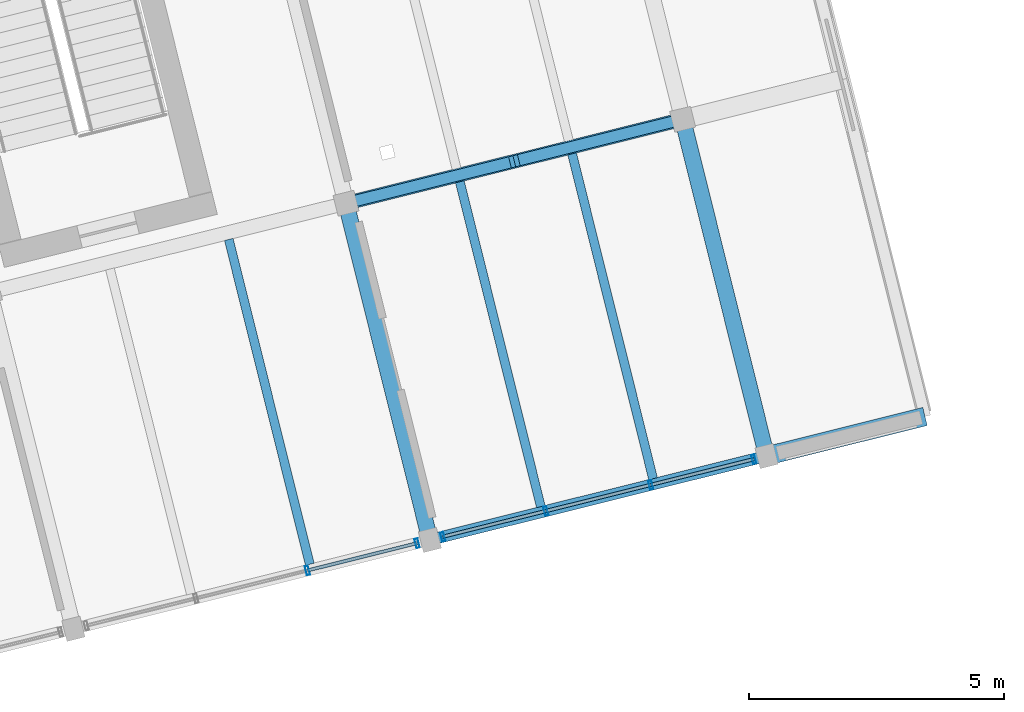
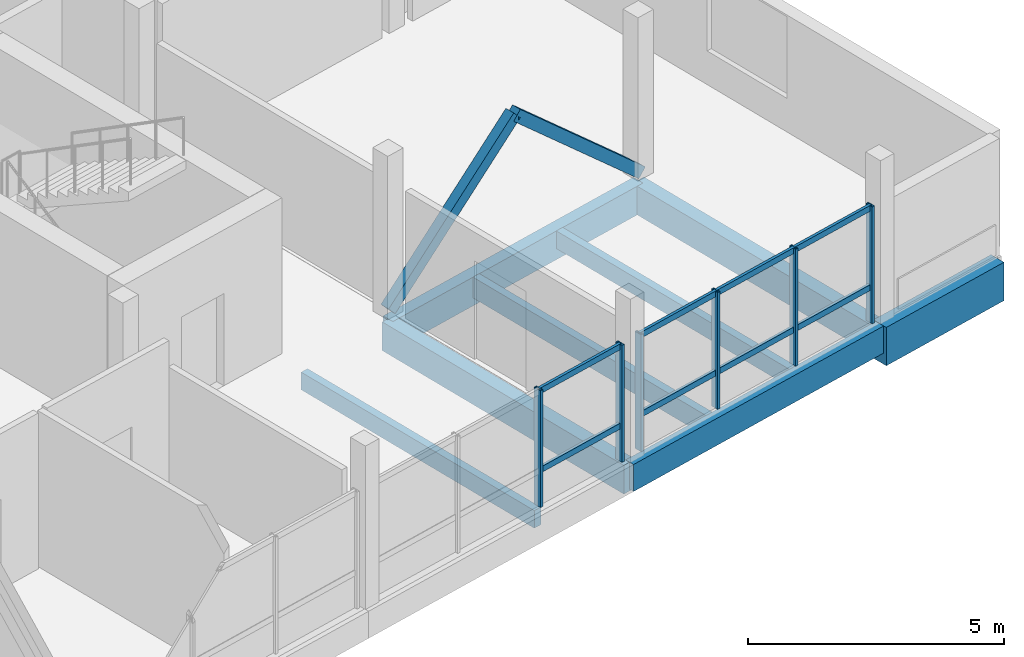
# One storey, part 11 of 27: 16 members, 8 beams, 2 elements without a shape of their own.
"""IFC4 building model written with IfcOpenShell, lengths in metres."""

from ifc_helpers import new_model, si_unit, direction, frame, origin, origin_2d, place, context, subcontext, project, spatial, rectangle, hollow_rectangle, extrude, material, layer, layer_set, material_profile, profile_set, type_object, element, aggregate, save


model = new_model("IFC4")

# Units and contexts
model_context = context("Model", 3, precision=1e-05, world=origin(), true_north=direction((0.0, 1.0)))
body_context = subcontext(model_context, "Body", "Model", "MODEL_VIEW")
ifc_project = project(units=[si_unit("LENGTHUNIT", "METRE"), si_unit("AREAUNIT", "SQUARE_METRE"), si_unit("VOLUMEUNIT", "CUBIC_METRE"), si_unit("PLANEANGLEUNIT", "RADIAN"), si_unit("MASSUNIT", "GRAM", prefix="KILO")], contexts=[model_context])

# Site, building, storey
site_placement = place(None, origin())
site = spatial("IfcSite", under=ifc_project, at=site_placement, CompositionType="ELEMENT")
building_placement = place(site_placement, origin())
building = spatial("IfcBuilding", under=site, at=building_placement, Name="Meriwether Solvik Hall", CompositionType="ELEMENT")
storey_placement = place(building_placement, frame((0.0, 0.0, 33.89990234375)))
storey = spatial("IfcBuildingStorey", under=building, at=storey_placement, Name="L08", CompositionType="ELEMENT", Elevation=33.89990234375)

# Beams
ifc_material_1 = material(Name="Glulam Douglas-Fir 24F-V8 GL28h", Category="wood")
ifc_material_profile_1 = material_profile(ifc_material_1, rectangle(XDim=0.221923828125, YDim=0.64501953125, at=origin_2d()), Name="GLB-222X645")
ifc_profile_set_1 = profile_set([ifc_material_profile_1], Name="Glulam Douglas-Fir 24F-V8 GL28h")
beam_type_1 = type_object("IfcBeamType", Name="BM-GL-222X645", PredefinedType="SPANDREL", material=ifc_profile_set_1)
beam_1_placement = place(storey_placement, frame((96.9326171875, 48.26416015625, -0.50244140625), z_axis=(0.970298579828, 0.24191045034, 0.0), x_axis=(-0.24191045034, 0.970298579828, 0.0)))
element("IfcBeam", 1, at=beam_1_placement, inside=storey, type_object=beam_type_1, Name="Tower Girder TA:T5-T6 (L08)", PredefinedType="SPANDREL", context=body_context, shape_type="SweptSolid", body=[
    extrude(rectangle(XDim=0.221923828125, YDim=0.64501953125, at=origin_2d()), origin(), (0.0, 0.0, 1.0), 6.800048828125),
])
ifc_material_2 = material(Name="Glulam Douglas-Fir 24F-V8 GL28h", Category="wood")
ifc_material_profile_2 = material_profile(ifc_material_2, rectangle(XDim=0.27294921875, YDim=0.68505859375, at=origin_2d()), Name="GLB-273X685")
ifc_profile_set_2 = profile_set([ifc_material_profile_2], Name="Glulam Douglas-Fir 24F-V8 GL28h")
beam_type_2 = type_object("IfcBeamType", Name="BM-GL-273X685", PredefinedType="BEAM", material=ifc_profile_set_2)
beam_2_placement = place(storey_placement, frame((95.28759765625, 54.862060546875, -0.5224609375), z_axis=(0.970296478685, 0.241918877831, 0.0), x_axis=(-0.241918877831, 0.970296478685, 0.0)))
element("IfcBeam", 2, at=beam_2_placement, inside=storey, type_object=beam_type_2, Name="Tower Girder TB:T5-T6 (L08)", PredefinedType="BEAM", context=body_context, shape_type="SweptSolid", body=[
    extrude(rectangle(XDim=0.27294921875, YDim=0.68505859375, at=origin_2d()), origin(), (0.0, 0.0, 1.0), 6.7998046875),
])
ifc_material_3 = material(Name="Glulam Douglas-Fir 24F-V8 GL28h", Category="wood")
ifc_material_profile_3 = material_profile(ifc_material_3, rectangle(XDim=0.31494140625, YDim=0.68505859375, at=origin_2d()), Name="GLB-315X685")
ifc_profile_set_3 = profile_set([ifc_material_profile_3], Name="Glulam Douglas-Fir 24F-V8 GL28h")
beam_type_3 = type_object("IfcBeamType", Name="BM-GL-315X685", PredefinedType="BEAM", material=ifc_profile_set_3)
beam_3_placement = place(storey_placement, frame((96.9326171875, 48.26416015625, -0.5224609375), z_axis=(-0.241918877831, 0.970296478685, 0.0), x_axis=(-0.970296478685, -0.241918877831, 0.0)))
element("IfcBeam", 3, at=beam_3_placement, inside=storey, type_object=beam_type_3, Name="Tower Girder T5:TA-TB (L08)", PredefinedType="BEAM", context=body_context, shape_type="SweptSolid", body=[
    extrude(rectangle(XDim=0.31494140625, YDim=0.68505859375, at=origin_2d()), origin(), (0.0, 0.0, 1.0), 6.7998046875),
])
beam_4_placement = place(storey_placement, frame((103.53076171875, 49.9091796875, -0.5224609375), z_axis=(-0.2419526798, 0.970288050394, 0.0), x_axis=(-0.970288050394, -0.2419526798, 0.0)))
element("IfcBeam", 4, at=beam_4_placement, inside=storey, type_object=beam_type_3, Name="Tower Girder T6:TA-TB (L08)", PredefinedType="BEAM", context=body_context, shape_type="SweptSolid", body=[
    extrude(rectangle(XDim=0.31494140625, YDim=0.68505859375, at=origin_2d()), origin(), (0.0, 0.0, 1.0), 6.800048828125),
])

# Curtain wall, members
ifc_material_4 = material(Name="Thermally Broken Anodised Aluminium 6063-T6 and Low-E Glass", Category="aluminium")
ifc_layer_1 = layer(ifc_material_4, 0.179931640625)
ifc_layer_set_1 = layer_set([ifc_layer_1], Name="Thermally Broken Anodised Aluminium 6063-T6 and Low-E Glass")
curtain_wall_type_1 = type_object("IfcCurtainWallType", Name="CW-UNIT-B", PredefinedType="USERDEFINED", material=ifc_layer_set_1)
curtain_wall_1_placement = place(storey_placement, origin())
curtain_wall_1 = element("IfcCurtainWall", 5, at=curtain_wall_1_placement, inside=storey, type_object=curtain_wall_type_1, Name="Curtain Wall E0_B3 (L08)", ObjectType="UNITISED CURTAIN WALL", PredefinedType="USERDEFINED")
ifc_material_5 = material(Name="Anodised Aluminium 6063-T6", Category="aluminium")
ifc_material_profile_4 = material_profile(ifc_material_5, hollow_rectangle(XDim=0.06494140625, YDim=0.179931640625, WallThickness=0.00439453125, at=origin_2d()), Name="CWM-65X180")
ifc_profile_set_4 = profile_set([ifc_material_profile_4], Name="Anodised Aluminium 6063-T6")
member_type_1 = type_object("IfcMemberType", Name="CW-MUL-65X180", PredefinedType="MULLION", material=ifc_profile_set_4)
member_1_placement = place(storey_placement, frame((96.680419921875, 48.201171875, 0.0), z_axis=(0.0, 0.0, 1.0), x_axis=(-0.970295703518, -0.241921986879, 0.0)))
member_1 = element("IfcMember", 6, at=member_1_placement, type_object=member_type_1, Name="Curtain Wall Mullion 1", PredefinedType="MULLION", context=body_context, shape_type="SweptSolid", body=[
    extrude(hollow_rectangle(XDim=0.06494140625, YDim=0.179931640625, WallThickness=0.00439453125, at=origin_2d()), origin(), (0.0, 0.0, 1.0), 2.7900390625),
])
member_2_placement = place(storey_placement, frame((94.5322265625, 47.66552734375, 0.0), z_axis=(0.0, 0.0, 1.0), x_axis=(-0.970295703518, -0.241921986879, 0.0)))
member_2 = element("IfcMember", 7, at=member_2_placement, type_object=member_type_1, Name="Curtain Wall Mullion 2", PredefinedType="MULLION", context=body_context, shape_type="SweptSolid", body=[
    extrude(hollow_rectangle(XDim=0.06494140625, YDim=0.179931640625, WallThickness=0.00439453125, at=origin_2d()), origin(), (0.0, 0.0, 1.0), 2.7900390625),
])

ifc_material_6 = material(Name="Thermally Broken Anodised Aluminium 6063-T6 and Low-E Glass", Category="aluminium")
ifc_layer_2 = layer(ifc_material_6, 0.179931640625)
ifc_layer_set_2 = layer_set([ifc_layer_2], Name="Thermally Broken Anodised Aluminium 6063-T6 and Low-E Glass")
curtain_wall_type_2 = type_object("IfcCurtainWallType", Name="CW-UNIT-C", PredefinedType="USERDEFINED", material=ifc_layer_set_2)
curtain_wall_2_placement = place(storey_placement, origin())
curtain_wall_2 = element("IfcCurtainWall", 8, at=curtain_wall_2_placement, inside=storey, type_object=curtain_wall_type_2, Name="Curtain Wall E0_B4 (L08)", ObjectType="UNITISED CURTAIN WALL", PredefinedType="USERDEFINED")
member_3_placement = place(storey_placement, frame((103.2783203125, 49.84619140625, 0.0), z_axis=(0.0, 0.0, 1.0), x_axis=(-0.97029570448, -0.241921983017, 0.0)))
member_3 = element("IfcMember", 9, at=member_3_placement, type_object=member_type_1, Name="Curtain Wall Mullion 1", PredefinedType="MULLION", context=body_context, shape_type="SweptSolid", body=[
    extrude(hollow_rectangle(XDim=0.06494140625, YDim=0.179931640625, WallThickness=0.00439453125, at=origin_2d()), origin(), (0.0, 0.0, 1.0), 2.7900390625),
])
member_4_placement = place(storey_placement, frame((101.259521484375, 49.343017578125, 0.0), z_axis=(0.0, 0.0, 1.0), x_axis=(-0.97029570448, -0.241921983017, 0.0)))
member_4 = element("IfcMember", 10, at=member_4_placement, type_object=member_type_1, Name="Curtain Wall Mullion 2", PredefinedType="MULLION", context=body_context, shape_type="SweptSolid", body=[
    extrude(hollow_rectangle(XDim=0.06494140625, YDim=0.179931640625, WallThickness=0.00439453125, at=origin_2d()), origin(), (0.0, 0.0, 1.0), 2.7900390625),
])
member_5_placement = place(storey_placement, frame((99.203857421875, 48.830322265625, 0.0), z_axis=(0.0, 0.0, 1.0), x_axis=(-0.97029570448, -0.241921983017, 0.0)))
member_5 = element("IfcMember", 11, at=member_5_placement, type_object=member_type_1, Name="Curtain Wall Mullion 3", PredefinedType="MULLION", context=body_context, shape_type="SweptSolid", body=[
    extrude(hollow_rectangle(XDim=0.06494140625, YDim=0.179931640625, WallThickness=0.00439453125, at=origin_2d()), origin(), (0.0, 0.0, 1.0), 2.7900390625),
])
member_6_placement = place(storey_placement, frame((97.184814453125, 48.326904296875, 0.0), z_axis=(0.0, 0.0, 1.0), x_axis=(-0.97029570448, -0.241921983017, 0.0)))
member_6 = element("IfcMember", 12, at=member_6_placement, type_object=member_type_1, Name="Curtain Wall Mullion 4", PredefinedType="MULLION", context=body_context, shape_type="SweptSolid", body=[
    extrude(hollow_rectangle(XDim=0.06494140625, YDim=0.179931640625, WallThickness=0.00439453125, at=origin_2d()), origin(), (0.0, 0.0, 1.0), 2.7900390625),
])

# Member
ifc_material_7 = material(Name="Anodised Aluminium 6063-T6", Category="aluminium")
ifc_material_profile_5 = material_profile(ifc_material_7, hollow_rectangle(XDim=0.06494140625, YDim=0.139892578125, WallThickness=0.00439453125, at=origin_2d()), Name="CWT-65X140")
ifc_profile_set_5 = profile_set([ifc_material_profile_5], Name="Anodised Aluminium 6063-T6")
member_type_2 = type_object("IfcMemberType", Name="CW-TRN-65X140", PredefinedType="USERDEFINED", material=ifc_profile_set_5)
member_7_placement = place(storey_placement, frame((96.680419921875, 48.201171875, 0.837158203125), z_axis=(-0.970291509385, -0.241938808, 0.0), x_axis=(0.241938808, -0.970291509385, 0.0)))
member_7 = element("IfcMember", 13, at=member_7_placement, type_object=member_type_2, Name="Curtain Wall Transom 1-sill", ObjectType="TRANSOM", PredefinedType="USERDEFINED", context=body_context, shape_type="SweptSolid", body=[
    extrude(hollow_rectangle(XDim=0.06494140625, YDim=0.139892578125, WallThickness=0.00439453125, at=origin_2d()), origin(), (0.0, 0.0, 1.0), 2.2138671875),
])

member_8_placement = place(storey_placement, frame((96.680419921875, 48.201171875, 2.72998046875), z_axis=(-0.970291509385, -0.241938808, 0.0), x_axis=(0.241938808, -0.970291509385, 0.0)))
member_8 = element("IfcMember", 14, at=member_8_placement, type_object=member_type_2, Name="Curtain Wall Transom 1-head", ObjectType="TRANSOM", PredefinedType="USERDEFINED", context=body_context, shape_type="SweptSolid", body=[
    extrude(hollow_rectangle(XDim=0.06494140625, YDim=0.139892578125, WallThickness=0.00439453125, at=origin_2d()), origin(), (0.0, 0.0, 1.0), 2.2138671875),
])

aggregate(curtain_wall_1, [member_1, member_2, member_7, member_8])

member_9_placement = place(storey_placement, frame((103.2783203125, 49.84619140625, 0.837158203125), z_axis=(-0.970314818809, -0.241845306756, 0.0), x_axis=(0.241845306756, -0.970314818809, 0.0)))
member_9 = element("IfcMember", 15, at=member_9_placement, type_object=member_type_2, Name="Curtain Wall Transom 1-sill", ObjectType="TRANSOM", PredefinedType="USERDEFINED", context=body_context, shape_type="SweptSolid", body=[
    extrude(hollow_rectangle(XDim=0.06494140625, YDim=0.139892578125, WallThickness=0.00439453125, at=origin_2d()), origin(), (0.0, 0.0, 1.0), 2.08056640625),
])

member_10_placement = place(storey_placement, frame((103.2783203125, 49.84619140625, 2.72998046875), z_axis=(-0.970314818809, -0.241845306756, 0.0), x_axis=(0.241845306756, -0.970314818809, 0.0)))
member_10 = element("IfcMember", 16, at=member_10_placement, type_object=member_type_2, Name="Curtain Wall Transom 1-head", ObjectType="TRANSOM", PredefinedType="USERDEFINED", context=body_context, shape_type="SweptSolid", body=[
    extrude(hollow_rectangle(XDim=0.06494140625, YDim=0.139892578125, WallThickness=0.00439453125, at=origin_2d()), origin(), (0.0, 0.0, 1.0), 2.08056640625),
])

member_11_placement = place(storey_placement, frame((101.259521484375, 49.343017578125, 0.837158203125), z_axis=(-0.970277919064, -0.24199330523, 0.0), x_axis=(0.24199330523, -0.970277919064, 0.0)))
member_11 = element("IfcMember", 17, at=member_11_placement, type_object=member_type_2, Name="Curtain Wall Transom 2-sill", ObjectType="TRANSOM", PredefinedType="USERDEFINED", context=body_context, shape_type="SweptSolid", body=[
    extrude(hollow_rectangle(XDim=0.06494140625, YDim=0.139892578125, WallThickness=0.00439453125, at=origin_2d()), origin(), (0.0, 0.0, 1.0), 2.11865234375),
])

member_12_placement = place(storey_placement, frame((101.259521484375, 49.343017578125, 2.72998046875), z_axis=(-0.970277919064, -0.24199330523, 0.0), x_axis=(0.24199330523, -0.970277919064, 0.0)))
member_12 = element("IfcMember", 18, at=member_12_placement, type_object=member_type_2, Name="Curtain Wall Transom 2-head", ObjectType="TRANSOM", PredefinedType="USERDEFINED", context=body_context, shape_type="SweptSolid", body=[
    extrude(hollow_rectangle(XDim=0.06494140625, YDim=0.139892578125, WallThickness=0.00439453125, at=origin_2d()), origin(), (0.0, 0.0, 1.0), 2.11865234375),
])

member_13_placement = place(storey_placement, frame((99.203857421875, 48.830322265625, 0.837158203125), z_axis=(-0.970294144957, -0.241928237836, 0.0), x_axis=(0.241928237836, -0.970294144957, 0.0)))
member_13 = element("IfcMember", 19, at=member_13_placement, type_object=member_type_2, Name="Curtain Wall Transom 3-sill", ObjectType="TRANSOM", PredefinedType="USERDEFINED", context=body_context, shape_type="SweptSolid", body=[
    extrude(hollow_rectangle(XDim=0.06494140625, YDim=0.139892578125, WallThickness=0.00439453125, at=origin_2d()), origin(), (0.0, 0.0, 1.0), 2.080810546875),
])

member_14_placement = place(storey_placement, frame((99.203857421875, 48.830322265625, 2.72998046875), z_axis=(-0.970294144957, -0.241928237836, 0.0), x_axis=(0.241928237836, -0.970294144957, 0.0)))
member_14 = element("IfcMember", 20, at=member_14_placement, type_object=member_type_2, Name="Curtain Wall Transom 3-head", ObjectType="TRANSOM", PredefinedType="USERDEFINED", context=body_context, shape_type="SweptSolid", body=[
    extrude(hollow_rectangle(XDim=0.06494140625, YDim=0.139892578125, WallThickness=0.00439453125, at=origin_2d()), origin(), (0.0, 0.0, 1.0), 2.080810546875),
])

aggregate(curtain_wall_2, [member_3, member_4, member_5, member_6, member_9, member_10, member_11, member_12, member_13, member_14])

# Beams
ifc_material_8 = material(Name="Glulam Douglas-Fir 24F-V8 GL28h", Category="wood")
ifc_material_profile_6 = material_profile(ifc_material_8, rectangle(XDim=0.364990234375, YDim=0.9150390625, at=origin_2d()), Name="GLB-365X915")
ifc_profile_set_6 = profile_set([ifc_material_profile_6], Name="Glulam Douglas-Fir 24F-V8 GL28h")
beam_type_4 = type_object("IfcBeamType", Name="GL-CANT-365X915", PredefinedType="BEAM", material=ifc_profile_set_6)
beam_5_placement = place(storey_placement, frame((103.53076171875, 49.9091796875, -0.637451171875), z_axis=(0.970290428474, 0.241943142934, 0.0), x_axis=(-0.241943142934, 0.970290428474, 0.0)))
element("IfcBeam", 21, at=beam_5_placement, inside=storey, type_object=beam_type_4, Name="Shard Cantilever Girder TA (L08)", PredefinedType="BEAM", context=body_context, shape_type="SweptSolid", body=[
    extrude(rectangle(XDim=0.364990234375, YDim=0.9150390625, at=origin_2d()), origin(), (0.0, 0.0, 1.0), 3.19970703125),
])
ifc_material_9 = material(Name="Glulam Douglas-Fir 24F-V8 GL28h", Category="wood")
ifc_material_profile_7 = material_profile(ifc_material_9, rectangle(XDim=0.175048828125, YDim=0.419921875, at=origin_2d()), Name="GLJ-175X420")
ifc_profile_set_7 = profile_set([ifc_material_profile_7], Name="Glulam Douglas-Fir 24F-V8 GL28h")
beam_type_5 = type_object("IfcBeamType", Name="JST-GL-175X420", PredefinedType="JOIST", material=ifc_profile_set_7)
for number, where, z_axis, x_axis, name in (
    (22, (94.578369140625, 47.786376953125, -0.389892578125), (-0.241931575219, 0.970293312824, 0.0), (-0.970293312824, -0.241931575219, 0.0), "Glulam Floor Joist T4/TA-J2 (L08)"),
    (23, (101.3056640625, 49.463623046875, -0.389892578125), (-0.241922842305, 0.970295490235, 0.0), (-0.970295490235, -0.241922842305, 0.0), "Glulam Floor Joist T5/TA-J2 (L08)"),
):
    element("IfcBeam", number, at=place(storey_placement, frame(where, z_axis=z_axis, x_axis=x_axis)), inside=storey, type_object=beam_type_5, Name=name, PredefinedType="JOIST", context=body_context, shape_type="SweptSolid", body=[
        extrude(rectangle(XDim=0.175048828125, YDim=0.419921875, at=origin_2d()), origin(), (0.0, 0.0, 1.0), 6.5625),
    ])
ifc_material_10 = material(Name="Glulam Douglas-Fir 24F-V8 GL28h", Category="wood")
ifc_material_profile_8 = material_profile(ifc_material_10, rectangle(XDim=0.175048828125, YDim=0.4951171875, at=origin_2d()), Name="GLJ-175X495")
ifc_profile_set_8 = profile_set([ifc_material_profile_8], Name="Glulam Douglas-Fir 24F-V8 GL28h")
beam_type_6 = type_object("IfcBeamType", Name="JST-GL-175X495", PredefinedType="JOIST", material=ifc_profile_set_8)
beam_6_placement = place(storey_placement, frame((99.1064453125, 48.915283203125, -0.427490234375), z_axis=(-0.241922842305, 0.970295490235, 0.0), x_axis=(-0.970295490235, -0.241922842305, 0.0)))
element("IfcBeam", 24, at=beam_6_placement, inside=storey, type_object=beam_type_6, Name="Glulam Floor Joist T5/TA-J1 (L08)", PredefinedType="JOIST", context=body_context, shape_type="SweptSolid", body=[
    extrude(rectangle(XDim=0.175048828125, YDim=0.4951171875, at=origin_2d()), origin(), (0.0, 0.0, 1.0), 6.5625),
])

# Members
ifc_material_11 = material(Name="Glulam Douglas-Fir 24F-V8 GL28h", Category="wood")
ifc_material_profile_9 = material_profile(ifc_material_11, rectangle(XDim=0.221923828125, YDim=0.26708984375, at=origin_2d()), Name="GLM-222X267")
ifc_profile_set_9 = profile_set([ifc_material_profile_9], Name="Glulam Douglas-Fir 24F-V8 GL28h")
member_type_3 = type_object("IfcMemberType", Name="MEM-BR-GL222", PredefinedType="BRACE", material=ifc_profile_set_9)
member_15_placement = place(storey_placement, frame((95.28759765625, 54.862060546875, 0.050048828125), z_axis=(0.724906074765, 0.180730301627, 0.664716285977), x_axis=(-0.24191045034, 0.970298579828, 0.0)))
element("IfcMember", 25, at=member_15_placement, inside=storey, type_object=member_type_3, Name="Tower Chevron Brace L08-B3A", PredefinedType="BRACE", context=body_context, shape_type="SweptSolid", body=[
    extrude(rectangle(XDim=0.221923828125, YDim=0.26708984375, at=origin_2d()), origin(), (0.0, 0.0, 1.0), 4.551025390625),
])
member_16_placement = place(storey_placement, frame((101.885498046875, 56.507080078125, 0.050048828125), z_axis=(-0.724880618086, -0.180737329953, 0.664742135783), x_axis=(0.241927305891, -0.970294377323, 0.0)))
element("IfcMember", 26, at=member_16_placement, inside=storey, type_object=member_type_3, Name="Tower Chevron Brace L08-B3B", PredefinedType="BRACE", context=body_context, shape_type="SweptSolid", body=[
    extrude(rectangle(XDim=0.221923828125, YDim=0.26708984375, at=origin_2d()), origin(), (0.0, 0.0, 1.0), 4.55078125),
])

save(model, "model.ifc")
